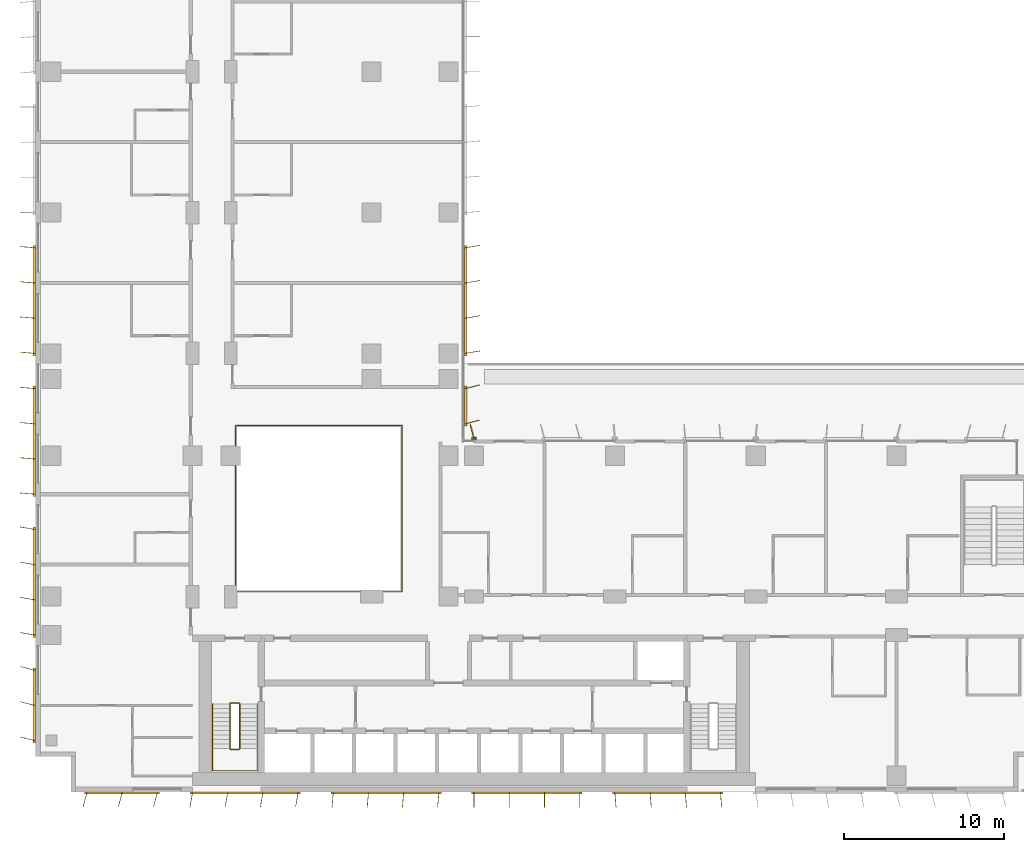
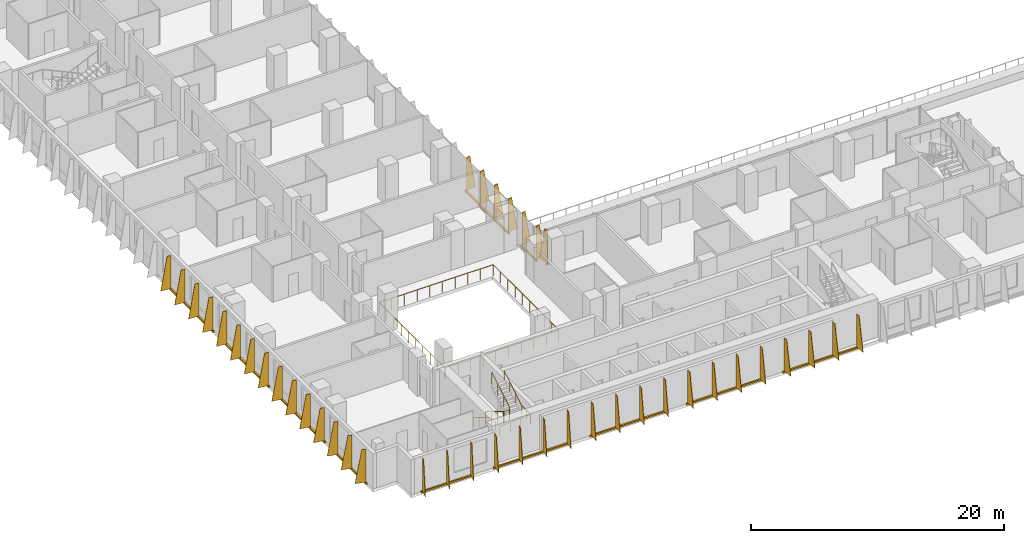
# One storey, part 23 of 27: 12 shading devices, 3 railings.
"""IFC4 building model written with IfcOpenShell, lengths in metres."""

from ifc_helpers import new_model, si_unit, direction, frame, origin, origin_2d, place, context, subcontext, project, spatial, polyline, rectangle, circle, outline, extrude, source, transform, mapped, material, layer, layer_set, type_object, element, save


model = new_model("IFC4")

# Units and contexts
model_context = context("Model", 3, precision=1e-05, world=origin(), true_north=direction((0.0, 1.0)))
body_context = subcontext(model_context, "Body", "Model", "MODEL_VIEW")
ifc_project = project(units=[si_unit("LENGTHUNIT", "METRE"), si_unit("AREAUNIT", "SQUARE_METRE"), si_unit("VOLUMEUNIT", "CUBIC_METRE"), si_unit("PLANEANGLEUNIT", "RADIAN"), si_unit("MASSUNIT", "GRAM", prefix="KILO")], contexts=[model_context])

# Site, building, storey
site_placement = place(None, origin())
site = spatial("IfcSite", under=ifc_project, at=site_placement, CompositionType="ELEMENT")
building_placement = place(site_placement, origin())
building = spatial("IfcBuilding", under=site, at=building_placement, Name="Kemantara Hotel Tower", CompositionType="ELEMENT")
storey_placement = place(building_placement, frame((0.0, 0.0, 83.39990234375)))
storey = spatial("IfcBuildingStorey", under=building, at=storey_placement, Name="L19", CompositionType="ELEMENT", Elevation=83.39990234375)

# Railings
ifc_material_1 = material(Name="Stainless steel and laminated glass balustrade", Category="steel")
railing_type_1 = type_object("IfcRailingType", Name="ATRIUM GUARD 1100", PredefinedType="GUARDRAIL", material=ifc_material_1)
railing_1_placement = place(storey_placement, frame((12.56005859375, 12.5, 0.0)))
element("IfcRailing", 1, at=railing_1_placement, inside=storey, type_object=railing_type_1, Name="ATRIUM GUARD L19", PredefinedType="GUARDRAIL", context=body_context, shape_type="SweptSolid", body=[
    extrude(circle(Radius=0.02490234375, at=origin_2d()), frame((0.0, 0.0, 1.0751953125), z_axis=(1.0, 0.0, 0.0), x_axis=(0.0, 1.0, 0.0)), (0.0, 0.0, 1.0), 10.33984375),
    extrude(circle(Radius=0.02490234375, at=origin_2d()), frame((10.33984375, 0.0, 1.0751953125), z_axis=(0.0, 1.0, 0.0), x_axis=(-1.0, 0.0, 0.0)), (0.0, 0.0, 1.0), 10.39990234375),
    extrude(circle(Radius=0.02490234375, at=origin_2d()), frame((10.33984375, 10.39990234375, 1.0751953125), z_axis=(-1.0, 0.0, 0.0), x_axis=(0.0, -1.0, 0.0)), (0.0, 0.0, 1.0), 10.39990234375),
    extrude(circle(Radius=0.02490234375, at=origin_2d()), frame((-0.06005859375, 10.39990234375, 1.0751953125), z_axis=(0.0, -1.0, 0.0), x_axis=(1.0, 0.0, 0.0)), (0.0, 0.0, 1.0), 10.39990234375),
    extrude(circle(Radius=0.02001953125, at=origin_2d()), origin(), (0.0, 0.0, 1.0), 1.050048828125),
    extrude(circle(Radius=0.02001953125, at=origin_2d()), frame((1.14892578125, 0.0, 0.0)), (0.0, 0.0, 1.0), 1.050048828125),
    extrude(circle(Radius=0.02001953125, at=origin_2d()), frame((2.2978515625, 0.0, 0.0)), (0.0, 0.0, 1.0), 1.050048828125),
    extrude(circle(Radius=0.02001953125, at=origin_2d()), frame((3.446533203125, 0.0, 0.0)), (0.0, 0.0, 1.0), 1.050048828125),
    extrude(circle(Radius=0.02001953125, at=origin_2d()), frame((4.595458984375, 0.0, 0.0)), (0.0, 0.0, 1.0), 1.050048828125),
    extrude(circle(Radius=0.02001953125, at=origin_2d()), frame((5.744384765625, 0.0, 0.0)), (0.0, 0.0, 1.0), 1.050048828125),
    extrude(circle(Radius=0.02001953125, at=origin_2d()), frame((6.893310546875, 0.0, 0.0)), (0.0, 0.0, 1.0), 1.050048828125),
    extrude(circle(Radius=0.02001953125, at=origin_2d()), frame((8.0419921875, 0.0, 0.0)), (0.0, 0.0, 1.0), 1.050048828125),
    extrude(circle(Radius=0.02001953125, at=origin_2d()), frame((9.19091796875, 0.0, 0.0)), (0.0, 0.0, 1.0), 1.050048828125),
    extrude(circle(Radius=0.02001953125, at=origin_2d()), frame((10.33984375, 0.0, 0.0)), (0.0, 0.0, 1.0), 1.050048828125),
    extrude(circle(Radius=0.02001953125, at=origin_2d()), frame((10.33984375, 1.155517578125, 0.0)), (0.0, 0.0, 1.0), 1.050048828125),
    extrude(circle(Radius=0.02001953125, at=origin_2d()), frame((10.33984375, 2.31103515625, 0.0)), (0.0, 0.0, 1.0), 1.050048828125),
    extrude(circle(Radius=0.02001953125, at=origin_2d()), frame((10.33984375, 3.466552734375, 0.0)), (0.0, 0.0, 1.0), 1.050048828125),
    extrude(circle(Radius=0.02001953125, at=origin_2d()), frame((10.33984375, 4.6220703125, 0.0)), (0.0, 0.0, 1.0), 1.050048828125),
    extrude(circle(Radius=0.02001953125, at=origin_2d()), frame((10.33984375, 5.77783203125, 0.0)), (0.0, 0.0, 1.0), 1.050048828125),
    extrude(circle(Radius=0.02001953125, at=origin_2d()), frame((10.33984375, 6.933349609375, 0.0)), (0.0, 0.0, 1.0), 1.050048828125),
    extrude(circle(Radius=0.02001953125, at=origin_2d()), frame((10.33984375, 8.0888671875, 0.0)), (0.0, 0.0, 1.0), 1.050048828125),
    extrude(circle(Radius=0.02001953125, at=origin_2d()), frame((10.33984375, 9.244384765625, 0.0)), (0.0, 0.0, 1.0), 1.050048828125),
    extrude(circle(Radius=0.02001953125, at=origin_2d()), frame((10.33984375, 10.39990234375, 0.0)), (0.0, 0.0, 1.0), 1.050048828125),
    extrude(circle(Radius=0.02001953125, at=origin_2d()), frame((9.184326171875, 10.39990234375, 0.0)), (0.0, 0.0, 1.0), 1.050048828125),
    extrude(circle(Radius=0.02001953125, at=origin_2d()), frame((8.02880859375, 10.39990234375, 0.0)), (0.0, 0.0, 1.0), 1.050048828125),
    extrude(circle(Radius=0.02001953125, at=origin_2d()), frame((6.873291015625, 10.39990234375, 0.0)), (0.0, 0.0, 1.0), 1.050048828125),
    extrude(circle(Radius=0.02001953125, at=origin_2d()), frame((5.7177734375, 10.39990234375, 0.0)), (0.0, 0.0, 1.0), 1.050048828125),
    extrude(circle(Radius=0.02001953125, at=origin_2d()), frame((4.56201171875, 10.39990234375, 0.0)), (0.0, 0.0, 1.0), 1.050048828125),
    extrude(circle(Radius=0.02001953125, at=origin_2d()), frame((3.406494140625, 10.39990234375, 0.0)), (0.0, 0.0, 1.0), 1.050048828125),
    extrude(circle(Radius=0.02001953125, at=origin_2d()), frame((2.2509765625, 10.39990234375, 0.0)), (0.0, 0.0, 1.0), 1.050048828125),
    extrude(circle(Radius=0.02001953125, at=origin_2d()), frame((1.095458984375, 10.39990234375, 0.0)), (0.0, 0.0, 1.0), 1.050048828125),
    extrude(circle(Radius=0.02001953125, at=origin_2d()), frame((-0.06005859375, 10.39990234375, 0.0)), (0.0, 0.0, 1.0), 1.050048828125),
    extrude(circle(Radius=0.02001953125, at=origin_2d()), frame((-0.06005859375, 9.244384765625, 0.0)), (0.0, 0.0, 1.0), 1.050048828125),
    extrude(circle(Radius=0.02001953125, at=origin_2d()), frame((-0.06005859375, 8.0888671875, 0.0)), (0.0, 0.0, 1.0), 1.050048828125),
    extrude(circle(Radius=0.02001953125, at=origin_2d()), frame((-0.06005859375, 6.933349609375, 0.0)), (0.0, 0.0, 1.0), 1.050048828125),
    extrude(circle(Radius=0.02001953125, at=origin_2d()), frame((-0.06005859375, 5.77783203125, 0.0)), (0.0, 0.0, 1.0), 1.050048828125),
    extrude(circle(Radius=0.02001953125, at=origin_2d()), frame((-0.06005859375, 4.6220703125, 0.0)), (0.0, 0.0, 1.0), 1.050048828125),
    extrude(circle(Radius=0.02001953125, at=origin_2d()), frame((-0.06005859375, 3.466552734375, 0.0)), (0.0, 0.0, 1.0), 1.050048828125),
    extrude(circle(Radius=0.02001953125, at=origin_2d()), frame((-0.06005859375, 2.31103515625, 0.0)), (0.0, 0.0, 1.0), 1.050048828125),
    extrude(circle(Radius=0.02001953125, at=origin_2d()), frame((-0.06005859375, 1.155517578125, 0.0)), (0.0, 0.0, 1.0), 1.050048828125),
    extrude(circle(Radius=0.02001953125, at=origin_2d()), frame((-0.06005859375, 0.0, 0.0)), (0.0, 0.0, 1.0), 1.050048828125),
])
ifc_material_2 = material(Name="Stainless steel balustrade", Category="steel")
railing_type_2 = type_object("IfcRailingType", Name="Stair guard 1100 mm", PredefinedType="GUARDRAIL", material=ifc_material_2)
railing_2_placement = place(storey_placement, frame((12.75, 5.5, 3.7001953125)))
element("IfcRailing", 2, at=railing_2_placement, inside=storey, type_object=railing_type_2, Name="L19 ST1 stair guard 1", PredefinedType="GUARDRAIL", context=body_context, shape_type="SweptSolid", body=[
    extrude(circle(Radius=0.02392578125, at=origin_2d()), frame((0.0, 0.0, 1.076171875), z_axis=(0.0, -0.857242210791, -0.514913383045), x_axis=(1.0, 0.0, 0.0)), (0.0, 0.0, 1.0), 3.266357421875),
    extrude(circle(Radius=0.02392578125, at=origin_2d()), frame((0.0, -2.800048828125, -0.60595703125), z_axis=(-0.274243871929, -0.274243871929, -0.92172696468), x_axis=(0.707106781187, -0.707106781187, 0.0)), (0.0, 0.0, 1.0), 0.1826171875),
    extrude(circle(Radius=0.02392578125, at=origin_2d()), frame((-0.050048828125, -2.85009765625, -0.77392578125), z_axis=(-1.0, 0.0, 0.0), x_axis=(0.0, -1.0, 0.0)), (0.0, 0.0, 1.0), 0.5),
    extrude(circle(Radius=0.02392578125, at=origin_2d()), frame((-0.550048828125, -2.85009765625, -0.77392578125), z_axis=(-0.707106781187, 0.707106781187, 0.0), x_axis=(-0.707106781187, -0.707106781187, 0.0)), (0.0, 0.0, 1.0), 0.07080078125),
    extrude(circle(Radius=0.02392578125, at=origin_2d()), frame((-0.60009765625, -2.800048828125, -0.77392578125), z_axis=(0.0, 0.857242210791, -0.514913383045), x_axis=(-1.0, 0.0, 0.0)), (0.0, 0.0, 1.0), 3.266357421875),
    extrude(circle(Radius=0.02392578125, at=origin_2d()), frame((-0.60009765625, 0.0, -2.4560546875), z_axis=(0.274243871929, 0.274243871929, -0.92172696468), x_axis=(-0.707106781187, 0.707106781187, 0.0)), (0.0, 0.0, 1.0), 0.1826171875),
    extrude(circle(Radius=0.02392578125, at=origin_2d()), frame((-0.550048828125, 0.050048828125, -2.6240234375), z_axis=(1.0, 0.0, 0.0), x_axis=(0.0, 1.0, 0.0)), (0.0, 0.0, 1.0), 0.5),
    extrude(circle(Radius=0.02099609375, at=origin_2d()), origin(), (0.0, 0.0, 1.0), 1.052001953125),
    extrude(circle(Radius=0.02099609375, at=origin_2d()), frame((0.0, -0.933349609375, -0.560546875)), (0.0, 0.0, 1.0), 1.052001953125),
    extrude(circle(Radius=0.02099609375, at=origin_2d()), frame((0.0, -1.86669921875, -1.121337890625)), (0.0, 0.0, 1.0), 1.052001953125),
    extrude(circle(Radius=0.02099609375, at=origin_2d()), frame((0.0, -2.800048828125, -1.681884765625)), (0.0, 0.0, 1.0), 1.052001953125),
    extrude(circle(Radius=0.02099609375, at=origin_2d()), frame((-0.050048828125, -2.85009765625, -1.85009765625)), (0.0, 0.0, 1.0), 1.052001953125),
    extrude(circle(Radius=0.02099609375, at=origin_2d()), frame((-0.550048828125, -2.85009765625, -1.85009765625)), (0.0, 0.0, 1.0), 1.052001953125),
    extrude(circle(Radius=0.02099609375, at=origin_2d()), frame((-0.60009765625, -2.800048828125, -1.85009765625)), (0.0, 0.0, 1.0), 1.052001953125),
    extrude(circle(Radius=0.02099609375, at=origin_2d()), frame((-0.60009765625, -1.86669921875, -2.41064453125)), (0.0, 0.0, 1.0), 1.052001953125),
    extrude(circle(Radius=0.02099609375, at=origin_2d()), frame((-0.60009765625, -0.933349609375, -2.971435546875)), (0.0, 0.0, 1.0), 1.052001953125),
    extrude(circle(Radius=0.02099609375, at=origin_2d()), frame((-0.60009765625, 0.0, -3.531982421875)), (0.0, 0.0, 1.0), 1.052001953125),
    extrude(circle(Radius=0.02099609375, at=origin_2d()), frame((-0.550048828125, 0.050048828125, -3.7001953125)), (0.0, 0.0, 1.0), 1.052001953125),
    extrude(circle(Radius=0.02099609375, at=origin_2d()), frame((-0.050048828125, 0.050048828125, -3.7001953125)), (0.0, 0.0, 1.0), 1.052001953125),
])
railing_type_3 = type_object("IfcRailingType", Name="Stair handrail 900 mm", PredefinedType="HANDRAIL", material=ifc_material_2)
railing_3_placement = place(storey_placement, frame((11.050048828125, 5.5, 0.168212890625)))
element("IfcRailing", 3, at=railing_3_placement, inside=storey, type_object=railing_type_3, Name="L19 ST1 stair handrail 1", PredefinedType="HANDRAIL", context=body_context, shape_type="SweptSolid", body=[
    extrude(circle(Radius=0.02392578125, at=origin_2d()), frame((0.0, 0.0, 0.8759765625), z_axis=(0.0, -0.857242210791, 0.514913383045), x_axis=(1.0, 0.0, 0.0)), (0.0, 0.0, 1.0), 3.266357421875),
    extrude(circle(Radius=0.02392578125, at=origin_2d()), frame((0.0, -2.800048828125, 2.5576171875), z_axis=(0.0, -1.0, 0.0), x_axis=(1.0, 0.0, 0.0)), (0.0, 0.0, 1.0), 1.3798828125),
    extrude(circle(Radius=0.02392578125, at=origin_2d()), frame((0.0, -4.179931640625, 2.5576171875), z_axis=(0.998200367801, 0.0, 0.059966871865), x_axis=(0.0, 1.0, 0.0)), (0.0, 0.0, 1.0), 2.80517578125),
    extrude(circle(Radius=0.02392578125, at=origin_2d()), frame((2.800048828125, -4.179931640625, 2.72607421875), z_axis=(0.0, 1.0, 0.0), x_axis=(-1.0, 0.0, 0.0)), (0.0, 0.0, 1.0), 1.3798828125),
    extrude(circle(Radius=0.02392578125, at=origin_2d()), frame((2.800048828125, -2.800048828125, 2.72607421875), z_axis=(0.0, 0.857242210791, 0.514913383045), x_axis=(-1.0, 0.0, 0.0)), (0.0, 0.0, 1.0), 3.266357421875),
    extrude(circle(Radius=0.02099609375, at=origin_2d()), origin(), (0.0, 0.0, 1.0), 0.851806640625),
    extrude(circle(Radius=0.02099609375, at=origin_2d()), frame((0.0, -0.933349609375, 0.560546875)), (0.0, 0.0, 1.0), 0.851806640625),
    extrude(circle(Radius=0.02099609375, at=origin_2d()), frame((0.0, -1.86669921875, 1.121337890625)), (0.0, 0.0, 1.0), 0.851806640625),
    extrude(circle(Radius=0.02099609375, at=origin_2d()), frame((0.0, -2.800048828125, 1.681884765625)), (0.0, 0.0, 1.0), 0.851806640625),
    extrude(circle(Radius=0.02099609375, at=origin_2d()), frame((0.0, -3.489990234375, 1.681884765625)), (0.0, 0.0, 1.0), 0.851806640625),
    extrude(circle(Radius=0.02099609375, at=origin_2d()), frame((0.0, -4.179931640625, 1.681884765625)), (0.0, 0.0, 1.0), 0.851806640625),
    extrude(circle(Radius=0.02099609375, at=origin_2d()), frame((0.933349609375, -4.179931640625, 1.738037109375)), (0.0, 0.0, 1.0), 0.851806640625),
    extrude(circle(Radius=0.02099609375, at=origin_2d()), frame((1.86669921875, -4.179931640625, 1.7939453125)), (0.0, 0.0, 1.0), 0.851806640625),
    extrude(circle(Radius=0.02099609375, at=origin_2d()), frame((2.800048828125, -4.179931640625, 1.85009765625)), (0.0, 0.0, 1.0), 0.851806640625),
    extrude(circle(Radius=0.02099609375, at=origin_2d()), frame((2.800048828125, -3.489990234375, 1.85009765625)), (0.0, 0.0, 1.0), 0.851806640625),
    extrude(circle(Radius=0.02099609375, at=origin_2d()), frame((2.800048828125, -2.800048828125, 1.85009765625)), (0.0, 0.0, 1.0), 0.851806640625),
    extrude(circle(Radius=0.02099609375, at=origin_2d()), frame((2.800048828125, -1.86669921875, 2.41064453125)), (0.0, 0.0, 1.0), 0.851806640625),
    extrude(circle(Radius=0.02099609375, at=origin_2d()), frame((2.800048828125, -0.933349609375, 2.971435546875)), (0.0, 0.0, 1.0), 0.851806640625),
    extrude(circle(Radius=0.02099609375, at=origin_2d()), frame((2.800048828125, 0.0, 3.531982421875)), (0.0, 0.0, 1.0), 0.851806640625),
])

# Shading devices
ifc_material_3 = material(Name="Perforated aluminium plate 4 mm bronze anodised", Category="aluminium")
ifc_layer_1 = layer(ifc_material_3, 0.0400390625)
ifc_layer_set_1 = layer_set([ifc_layer_1], Name="Perforated aluminium plate 4 mm bronze anodised")
shading_device_type_1 = type_object("IfcShadingDeviceType", Name="SCREEN FIN CASSETTE, 3 BLADES AT -15.0 DEG, 3200 HIGH", PredefinedType="USERDEFINED", material=ifc_layer_set_1)
shared_shape_1 = source(origin(), body_context, "Body", "SweptSolid", [
    extrude(rectangle(XDim=4.699951171875, YDim=0.14990234375, at=origin_2d()), frame((2.199951171875, -0.074951171875, -0.14990234375), z_axis=(0.0, 0.0, 1.0), x_axis=(1.0, 0.0, 0.0)), (0.0, 0.0, 1.0), 0.14990234375),
    extrude(outline(polyline([(0.0, 0.0), (0.89990234375, 0.0), (0.35009765625, 3.199951171875), (0.0, 3.199951171875), (0.0, 0.0)])), frame((0.019287109375, -0.080078125, 0.0), z_axis=(-0.966437683387, 0.256901156343, 0.0), x_axis=(-0.256901156343, -0.966437683387, 0.0)), (0.0, 0.0, 1.0), 0.039794921875),
    extrude(outline(polyline([(0.0, 0.0), (0.89990234375, 0.0), (0.35009765625, 3.199951171875), (0.0, 3.199951171875), (0.0, 0.0)])), frame((2.21923828125, -0.080078125, 0.0), z_axis=(-0.966437683387, 0.256901156343, 0.0), x_axis=(-0.256901156343, -0.966437683387, 0.0)), (0.0, 0.0, 1.0), 0.039794921875),
    extrude(outline(polyline([(0.0, 0.0), (0.89990234375, 0.0), (0.35009765625, 3.199951171875), (0.0, 3.199951171875), (0.0, 0.0)])), frame((4.41943359375, -0.080078125, 0.0), z_axis=(-0.966837822169, 0.255391122837, 0.0), x_axis=(-0.255391122837, -0.966837822169, 0.0)), (0.0, 0.0, 1.0), 0.0400390625),
])
for number, where, z_axis, x_axis, name in (
    (4, (0.0, 7.60009765625, 0.10009765625), (0.0, 0.0, 1.0), (0.0, -1.0, 0.0), "SCREEN FIN CASSETTE L19 T2-R04-9"),
    (5, (3.199951171875, 0.0, 0.10009765625), (0.0, 0.0, 1.0), (1.0, 0.0, 0.0), "SCREEN FIN CASSETTE L19 T2-R07-1"),
):
    element("IfcShadingDevice", number, at=place(storey_placement, frame(where, z_axis=z_axis, x_axis=x_axis)), inside=storey, type_object=shading_device_type_1, Name=name, ObjectType="SCREEN FIN", PredefinedType="USERDEFINED", context=body_context, shape_type="MappedRepresentation", body=[
        mapped(shared_shape_1, transform((0.0, 0.0, 0.0))),
    ])
ifc_layer_2 = layer(ifc_material_3, 0.0400390625)
ifc_layer_set_2 = layer_set([ifc_layer_2], Name="Perforated aluminium plate 4 mm bronze anodised")
shading_device_type_2 = type_object("IfcShadingDeviceType", Name="SCREEN FIN CASSETTE, 4 BLADES AT -10.0 DEG, 3200 HIGH", PredefinedType="USERDEFINED", material=ifc_layer_set_2)
shared_shape_2 = source(origin(), body_context, "Body", "SweptSolid", [
    extrude(rectangle(XDim=6.89990234375, YDim=0.14990234375, at=origin_2d()), frame((3.300048828125, -0.074951171875, -0.14990234375), z_axis=(0.0, 0.0, 1.0), x_axis=(1.0, 0.0, 0.0)), (0.0, 0.0, 1.0), 0.14990234375),
    extrude(outline(polyline([(0.0, 0.0), (0.89990234375, 0.0), (0.35009765625, 3.199951171875), (0.0, 3.199951171875), (0.0, 0.0)])), frame((0.019775390625, -0.078369140625, 0.0), z_axis=(-0.985389793052, 0.170314285219, 0.0), x_axis=(-0.170314285219, -0.985389793052, 0.0)), (0.0, 0.0, 1.0), 0.0400390625),
    extrude(outline(polyline([(0.0, 0.0), (0.89990234375, 0.0), (0.35009765625, 3.199951171875), (0.0, 3.199951171875), (0.0, 0.0)])), frame((2.2197265625, -0.078369140625, 0.0), z_axis=(-0.98521175482, 0.171341174751, 0.0), x_axis=(-0.171341174751, -0.98521175482, 0.0)), (0.0, 0.0, 1.0), 0.039794921875),
    extrude(outline(polyline([(0.0, 0.0), (0.89990234375, 0.0), (0.35009765625, 3.199951171875), (0.0, 3.199951171875), (0.0, 0.0)])), frame((4.419677734375, -0.078369140625, 0.0), z_axis=(-0.98521175482, 0.171341174751, 0.0), x_axis=(-0.171341174751, -0.98521175482, 0.0)), (0.0, 0.0, 1.0), 0.039794921875),
    extrude(outline(polyline([(0.0, 0.0), (0.89990234375, 0.0), (0.35009765625, 3.199951171875), (0.0, 3.199951171875), (0.0, 0.0)])), frame((6.61962890625, -0.078369140625, 0.0), z_axis=(-0.98521175482, 0.171341174751, 0.0), x_axis=(-0.171341174751, -0.98521175482, 0.0)), (0.0, 0.0, 1.0), 0.039794921875),
])
for number, where, z_axis, x_axis, name in (
    (6, (0.0, 16.39990234375, 0.10009765625), (0.0, 0.0, 1.0), (0.0, -1.0, 0.0), "SCREEN FIN CASSETTE L19 T2-R04-8"),
    (7, (9.800048828125, 0.0, 0.10009765625), (0.0, 0.0, 1.0), (1.0, 0.0, 0.0), "SCREEN FIN CASSETTE L19 T2-R07-2"),
):
    element("IfcShadingDevice", number, at=place(storey_placement, frame(where, z_axis=z_axis, x_axis=x_axis)), inside=storey, type_object=shading_device_type_2, Name=name, ObjectType="SCREEN FIN", PredefinedType="USERDEFINED", context=body_context, shape_type="MappedRepresentation", body=[
        mapped(shared_shape_2, transform((0.0, 0.0, 0.0))),
    ])
ifc_layer_3 = layer(ifc_material_3, 0.0400390625)
ifc_layer_set_3 = layer_set([ifc_layer_3], Name="Perforated aluminium plate 4 mm bronze anodised")
shading_device_type_3 = type_object("IfcShadingDeviceType", Name="SCREEN FIN CASSETTE, 4 BLADES AT -5.0 DEG, 3200 HIGH", PredefinedType="USERDEFINED", material=ifc_layer_set_3)
shared_shape_3 = source(origin(), body_context, "Body", "SweptSolid", [
    extrude(rectangle(XDim=6.89990234375, YDim=0.14990234375, at=origin_2d()), frame((3.300048828125, -0.074951171875, -0.14990234375), z_axis=(0.0, 0.0, 1.0), x_axis=(1.0, 0.0, 0.0)), (0.0, 0.0, 1.0), 0.14990234375),
    extrude(outline(polyline([(0.0, 0.0), (0.89990234375, 0.0), (0.35009765625, 3.199951171875), (0.0, 3.199951171875), (0.0, 0.0)])), frame((0.02001953125, -0.07666015625, 0.0), z_axis=(-0.996376129781, 0.085056498884, 0.0), x_axis=(-0.085056498884, -0.996376129781, 0.0)), (0.0, 0.0, 1.0), 0.040283203125),
    extrude(outline(polyline([(0.0, 0.0), (0.89990234375, 0.0), (0.35009765625, 3.199951171875), (0.0, 3.199951171875), (0.0, 0.0)])), frame((2.219970703125, -0.07666015625, 0.0), z_axis=(-0.996331773833, 0.085574508182, 0.0), x_axis=(-0.085574508182, -0.996331773833, 0.0)), (0.0, 0.0, 1.0), 0.0400390625),
    extrude(outline(polyline([(0.0, 0.0), (0.89990234375, 0.0), (0.35009765625, 3.199951171875), (0.0, 3.199951171875), (0.0, 0.0)])), frame((4.419921875, -0.07666015625, 0.0), z_axis=(-0.996331773833, 0.085574508182, 0.0), x_axis=(-0.085574508182, -0.996331773833, 0.0)), (0.0, 0.0, 1.0), 0.0400390625),
    extrude(outline(polyline([(0.0, 0.0), (0.89990234375, 0.0), (0.35009765625, 3.199951171875), (0.0, 3.199951171875), (0.0, 0.0)])), frame((6.619873046875, -0.07666015625, 0.0), z_axis=(-0.996331773833, 0.085574508182, 0.0), x_axis=(-0.085574508182, -0.996331773833, 0.0)), (0.0, 0.0, 1.0), 0.0400390625),
])
for number, where, z_axis, x_axis, name in (
    (8, (0.0, 34.0, 0.10009765625), (0.0, 0.0, 1.0), (0.0, -1.0, 0.0), "SCREEN FIN CASSETTE L19 T2-R04-6"),
    (9, (0.0, 25.199951171875, 0.10009765625), (0.0, 0.0, 1.0), (0.0, -1.0, 0.0), "SCREEN FIN CASSETTE L19 T2-R04-7"),
    (10, (18.60009765625, 0.0, 0.10009765625), (0.0, 0.0, 1.0), (1.0, 0.0, 0.0), "SCREEN FIN CASSETTE L19 T2-R07-3"),
):
    element("IfcShadingDevice", number, at=place(storey_placement, frame(where, z_axis=z_axis, x_axis=x_axis)), inside=storey, type_object=shading_device_type_3, Name=name, ObjectType="SCREEN FIN", PredefinedType="USERDEFINED", context=body_context, shape_type="MappedRepresentation", body=[
        mapped(shared_shape_3, transform((0.0, 0.0, 0.0))),
    ])
ifc_layer_4 = layer(ifc_material_3, 0.0400390625)
ifc_layer_set_4 = layer_set([ifc_layer_4], Name="Perforated aluminium plate 4 mm bronze anodised")
shading_device_type_4 = type_object("IfcShadingDeviceType", Name="SCREEN FIN CASSETTE, 4 BLADES AT +0.0 DEG, 3200 HIGH", PredefinedType="USERDEFINED", material=ifc_layer_set_4)
shared_shape_4 = source(origin(), body_context, "Body", "SweptSolid", [
    extrude(rectangle(XDim=6.89990234375, YDim=0.14990234375, at=origin_2d()), frame((3.300048828125, -0.074951171875, -0.14990234375), z_axis=(0.0, 0.0, 1.0), x_axis=(1.0, 0.0, 0.0)), (0.0, 0.0, 1.0), 0.14990234375),
    extrude(outline(polyline([(0.0, 0.0), (0.89990234375, 0.0), (0.35009765625, 3.199951171875), (0.0, 3.199951171875), (0.0, 0.0)])), frame((0.02001953125, -0.074951171875, 0.0), z_axis=(-1.0, 0.0, 0.0), x_axis=(0.0, -1.0, 0.0)), (0.0, 0.0, 1.0), 0.0400390625),
    extrude(outline(polyline([(0.0, 0.0), (0.89990234375, 0.0), (0.35009765625, 3.199951171875), (0.0, 3.199951171875), (0.0, 0.0)])), frame((2.219970703125, -0.074951171875, 0.0), z_axis=(-1.0, 0.0, 0.0), x_axis=(0.0, -1.0, 0.0)), (0.0, 0.0, 1.0), 0.0400390625),
    extrude(outline(polyline([(0.0, 0.0), (0.89990234375, 0.0), (0.35009765625, 3.199951171875), (0.0, 3.199951171875), (0.0, 0.0)])), frame((4.419921875, -0.074951171875, 0.0), z_axis=(-1.0, 0.0, 0.0), x_axis=(0.0, -1.0, 0.0)), (0.0, 0.0, 1.0), 0.0400390625),
    extrude(outline(polyline([(0.0, 0.0), (0.89990234375, 0.0), (0.35009765625, 3.199951171875), (0.0, 3.199951171875), (0.0, 0.0)])), frame((6.6201171875, -0.074951171875, 0.0), z_axis=(-1.0, 0.0, 0.0), x_axis=(0.0, -1.0, 0.0)), (0.0, 0.0, 1.0), 0.0400390625),
])
shading_device_1_placement = place(storey_placement, frame((27.39990234375, 0.0, 0.10009765625), z_axis=(0.0, 0.0, 1.0), x_axis=(1.0, 0.0, 0.0)))
element("IfcShadingDevice", 11, at=shading_device_1_placement, inside=storey, type_object=shading_device_type_4, Name="SCREEN FIN CASSETTE L19 T2-R07-4", ObjectType="SCREEN FIN", PredefinedType="USERDEFINED", context=body_context, shape_type="MappedRepresentation", body=[
    mapped(shared_shape_4, transform((0.0, 0.0, 0.0))),
])
ifc_layer_5 = layer(ifc_material_3, 0.0400390625)
ifc_layer_set_5 = layer_set([ifc_layer_5], Name="Perforated aluminium plate 4 mm bronze anodised")
shading_device_type_5 = type_object("IfcShadingDeviceType", Name="SCREEN FIN CASSETTE, 4 BLADES AT +5.0 DEG, 3200 HIGH", PredefinedType="USERDEFINED", material=ifc_layer_set_5)
shared_shape_5 = source(origin(), body_context, "Body", "SweptSolid", [
    extrude(rectangle(XDim=6.89990234375, YDim=0.14990234375, at=origin_2d()), frame((3.300048828125, -0.074951171875, -0.14990234375), z_axis=(0.0, 0.0, 1.0), x_axis=(1.0, 0.0, 0.0)), (0.0, 0.0, 1.0), 0.14990234375),
    extrude(outline(polyline([(0.0, 0.0), (0.89990234375, 0.0), (0.35009765625, 3.199951171875), (0.0, 3.199951171875), (0.0, 0.0)])), frame((0.02001953125, -0.0732421875, 0.0), z_axis=(-0.996376129781, -0.085056498884, 0.0), x_axis=(0.085056498884, -0.996376129781, 0.0)), (0.0, 0.0, 1.0), 0.040283203125),
    extrude(outline(polyline([(0.0, 0.0), (0.89990234375, 0.0), (0.35009765625, 3.199951171875), (0.0, 3.199951171875), (0.0, 0.0)])), frame((2.219970703125, -0.0732421875, 0.0), z_axis=(-0.996331773833, -0.085574508182, 0.0), x_axis=(0.085574508182, -0.996331773833, 0.0)), (0.0, 0.0, 1.0), 0.0400390625),
    extrude(outline(polyline([(0.0, 0.0), (0.89990234375, 0.0), (0.35009765625, 3.199951171875), (0.0, 3.199951171875), (0.0, 0.0)])), frame((4.419921875, -0.0732421875, 0.0), z_axis=(-0.996331773833, -0.085574508182, 0.0), x_axis=(0.085574508182, -0.996331773833, 0.0)), (0.0, 0.0, 1.0), 0.0400390625),
    extrude(outline(polyline([(0.0, 0.0), (0.89990234375, 0.0), (0.35009765625, 3.199951171875), (0.0, 3.199951171875), (0.0, 0.0)])), frame((6.619873046875, -0.0732421875, 0.0), z_axis=(-0.996331773833, -0.085574508182, 0.0), x_axis=(0.085574508182, -0.996331773833, 0.0)), (0.0, 0.0, 1.0), 0.0400390625),
])
shading_device_2_placement = place(storey_placement, frame((36.199951171875, 0.0, 0.10009765625), z_axis=(0.0, 0.0, 1.0), x_axis=(1.0, 0.0, 0.0)))
element("IfcShadingDevice", 12, at=shading_device_2_placement, inside=storey, type_object=shading_device_type_5, Name="SCREEN FIN CASSETTE L19 T2-R07-5", ObjectType="SCREEN FIN", PredefinedType="USERDEFINED", context=body_context, shape_type="MappedRepresentation", body=[
    mapped(shared_shape_5, transform((0.0, 0.0, 0.0))),
])
ifc_layer_6 = layer(ifc_material_3, 0.0400390625)
ifc_layer_set_6 = layer_set([ifc_layer_6], Name="Perforated aluminium plate 4 mm bronze anodised")
shading_device_type_6 = type_object("IfcShadingDeviceType", Name="SCREEN FIN CASSETTE, 4 BLADES AT +10.0 DEG, 3200 HIGH", PredefinedType="USERDEFINED", material=ifc_layer_set_6)
shared_shape_6 = source(origin(), body_context, "Body", "SweptSolid", [
    extrude(rectangle(XDim=6.89990234375, YDim=0.14990234375, at=origin_2d()), frame((3.300048828125, -0.074951171875, -0.14990234375), z_axis=(0.0, 0.0, 1.0), x_axis=(1.0, 0.0, 0.0)), (0.0, 0.0, 1.0), 0.14990234375),
    extrude(outline(polyline([(0.0, 0.0), (0.89990234375, 0.0), (0.35009765625, 3.199951171875), (0.0, 3.199951171875), (0.0, 0.0)])), frame((0.019775390625, -0.071533203125, 0.0), z_axis=(-0.985389793052, -0.170314285219, 0.0), x_axis=(0.170314285219, -0.985389793052, 0.0)), (0.0, 0.0, 1.0), 0.0400390625),
    extrude(outline(polyline([(0.0, 0.0), (0.89990234375, 0.0), (0.35009765625, 3.199951171875), (0.0, 3.199951171875), (0.0, 0.0)])), frame((2.2197265625, -0.071533203125, 0.0), z_axis=(-0.98521175482, -0.171341174751, 0.0), x_axis=(0.171341174751, -0.98521175482, 0.0)), (0.0, 0.0, 1.0), 0.039794921875),
    extrude(outline(polyline([(0.0, 0.0), (0.89990234375, 0.0), (0.35009765625, 3.199951171875), (0.0, 3.199951171875), (0.0, 0.0)])), frame((4.419677734375, -0.071533203125, 0.0), z_axis=(-0.98521175482, -0.171341174751, 0.0), x_axis=(0.171341174751, -0.98521175482, 0.0)), (0.0, 0.0, 1.0), 0.039794921875),
    extrude(outline(polyline([(0.0, 0.0), (0.89990234375, 0.0), (0.35009765625, 3.199951171875), (0.0, 3.199951171875), (0.0, 0.0)])), frame((6.61962890625, -0.071533203125, 0.0), z_axis=(-0.98521175482, -0.171341174751, 0.0), x_axis=(0.171341174751, -0.98521175482, 0.0)), (0.0, 0.0, 1.0), 0.039794921875),
])
shading_device_3_placement = place(storey_placement, frame((26.800048828125, 27.39990234375, 0.10009765625), z_axis=(0.0, 0.0, 1.0), x_axis=(0.0, 1.0, 0.0)))
element("IfcShadingDevice", 13, at=shading_device_3_placement, inside=storey, type_object=shading_device_type_6, Name="SCREEN FIN CASSETTE L19 T2-R14-2", ObjectType="SCREEN FIN", PredefinedType="USERDEFINED", context=body_context, shape_type="MappedRepresentation", body=[
    mapped(shared_shape_6, transform((0.0, 0.0, 0.0))),
])
ifc_layer_7 = layer(ifc_material_3, 0.0400390625)
ifc_layer_set_7 = layer_set([ifc_layer_7], Name="Perforated aluminium plate 4 mm bronze anodised")
shading_device_type_7 = type_object("IfcShadingDeviceType", Name="SCREEN FIN CASSETTE, 1 BLADE AT +15.0 DEG, 3150 HIGH", PredefinedType="USERDEFINED", material=ifc_layer_set_7)
shared_shape_7 = source(origin(), body_context, "Body", "SweptSolid", [
    extrude(rectangle(XDim=0.300048828125, YDim=0.14990234375, at=origin_2d()), frame((0.0, -0.074951171875, -0.14990234375), z_axis=(0.0, 0.0, 1.0), x_axis=(1.0, 0.0, 0.0)), (0.0, 0.0, 1.0), 0.14990234375),
    extrude(outline(polyline([(0.0, 0.0), (0.89990234375, 0.0), (0.35009765625, 3.14990234375), (0.0, 3.14990234375), (0.0, 0.0)])), frame((0.019287109375, -0.06982421875, 0.0), z_axis=(-0.966437683387, -0.256901156343, 0.0), x_axis=(0.256901156343, -0.966437683387, 0.0)), (0.0, 0.0, 1.0), 0.039794921875),
])
shading_device_4_placement = place(storey_placement, frame((27.39990234375, 22.0, 0.150146484375), z_axis=(0.0, 0.0, 1.0), x_axis=(-1.0, 0.0, 0.0)))
element("IfcShadingDevice", 14, at=shading_device_4_placement, inside=storey, type_object=shading_device_type_7, Name="SCREEN FIN CASSETTE L19 T2-R13-8", ObjectType="SCREEN FIN", PredefinedType="USERDEFINED", context=body_context, shape_type="MappedRepresentation", body=[
    mapped(shared_shape_7, transform((0.0, 0.0, 0.0))),
])
ifc_layer_8 = layer(ifc_material_3, 0.0400390625)
ifc_layer_set_8 = layer_set([ifc_layer_8], Name="Perforated aluminium plate 4 mm bronze anodised")
shading_device_type_8 = type_object("IfcShadingDeviceType", Name="SCREEN FIN CASSETTE, 2 BLADES AT +15.0 DEG, 3150 HIGH", PredefinedType="USERDEFINED", material=ifc_layer_set_8)
shared_shape_8 = source(origin(), body_context, "Body", "SweptSolid", [
    extrude(rectangle(XDim=2.5, YDim=0.14990234375, at=origin_2d()), frame((1.10009765625, -0.074951171875, -0.14990234375), z_axis=(0.0, 0.0, 1.0), x_axis=(1.0, 0.0, 0.0)), (0.0, 0.0, 1.0), 0.14990234375),
    extrude(outline(polyline([(0.0, 0.0), (0.89990234375, 0.0), (0.35009765625, 3.14990234375), (0.0, 3.14990234375), (0.0, 0.0)])), frame((0.019287109375, -0.06982421875, 0.0), z_axis=(-0.966437683387, -0.256901156343, 0.0), x_axis=(0.256901156343, -0.966437683387, 0.0)), (0.0, 0.0, 1.0), 0.039794921875),
    extrude(outline(polyline([(0.0, 0.0), (0.89990234375, 0.0), (0.35009765625, 3.14990234375), (0.0, 3.14990234375), (0.0, 0.0)])), frame((2.21923828125, -0.06982421875, 0.0), z_axis=(-0.966437683387, -0.256901156343, 0.0), x_axis=(0.256901156343, -0.966437683387, 0.0)), (0.0, 0.0, 1.0), 0.039794921875),
])
shading_device_5_placement = place(storey_placement, frame((26.800048828125, 23.0, 0.150146484375), z_axis=(0.0, 0.0, 1.0), x_axis=(0.0, 1.0, 0.0)))
element("IfcShadingDevice", 15, at=shading_device_5_placement, inside=storey, type_object=shading_device_type_8, Name="SCREEN FIN CASSETTE L19 T2-R14-1", ObjectType="SCREEN FIN", PredefinedType="USERDEFINED", context=body_context, shape_type="MappedRepresentation", body=[
    mapped(shared_shape_8, transform((0.0, 0.0, 0.0))),
])

save(model, "model.ifc")
